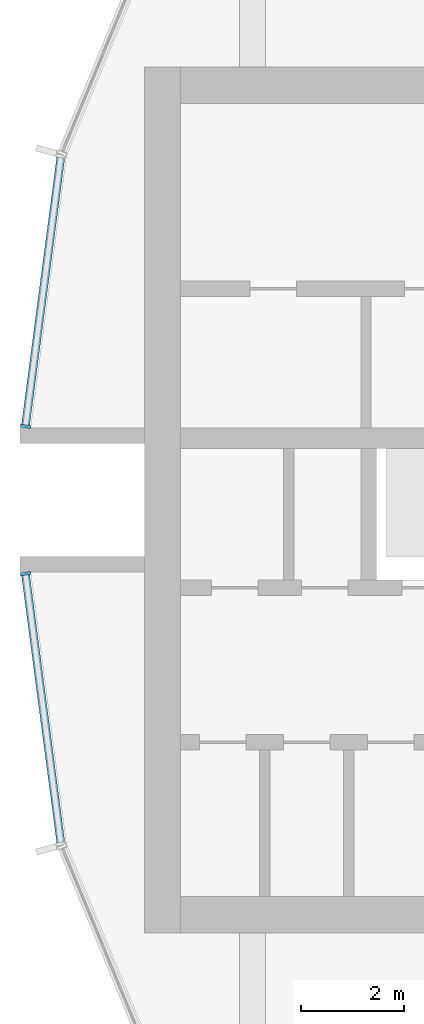
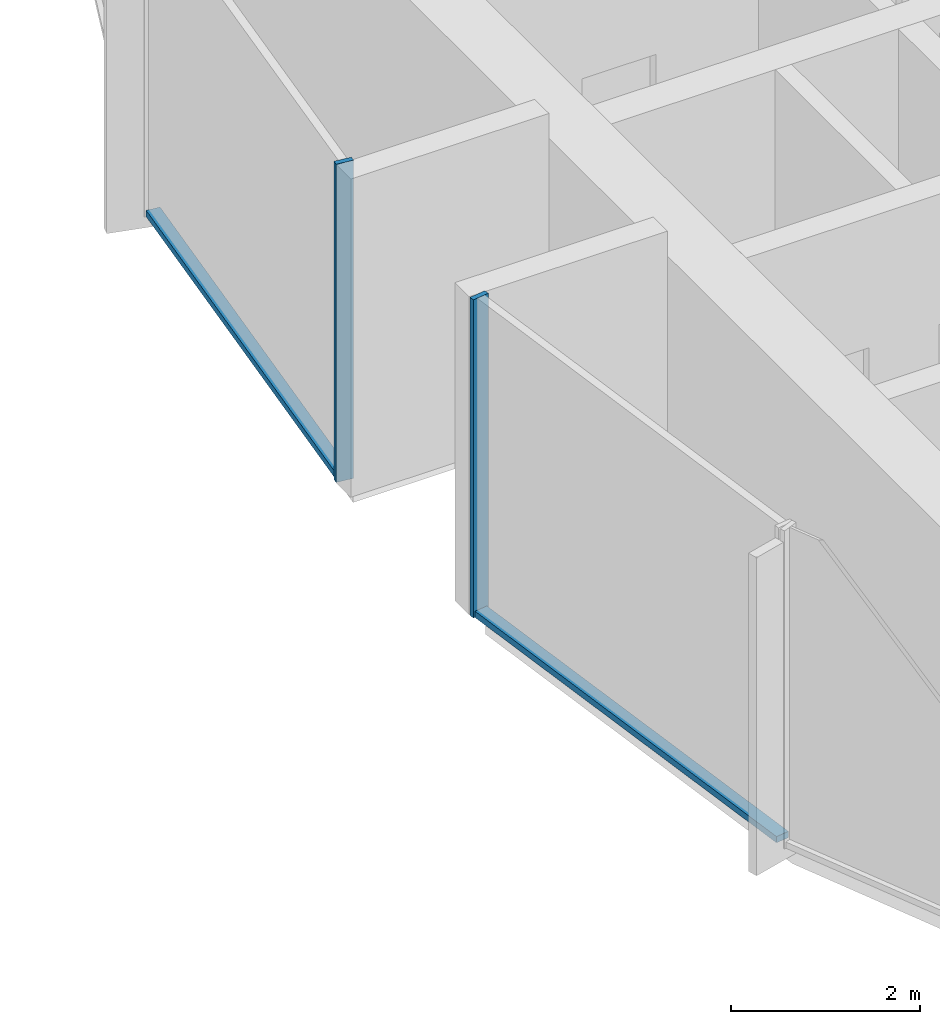
# One storey, part 3 of 15: 4 members, 2 elements without a shape of their own.
"""IFC4 building model written with IfcOpenShell, lengths in metres."""

from ifc_helpers import new_model, si_unit, direction, frame, origin, origin_2d, place, context, subcontext, project, spatial, rectangle, extrude, material, layer, layer_set, material_profile, profile_set, type_object, element, aggregate, save


model = new_model("IFC4")

# Units and contexts
model_context = context("Model", 3, precision=1e-05, world=origin(), true_north=direction((0.0, 1.0)))
body_context = subcontext(model_context, "Body", "Model", "MODEL_VIEW")
ifc_project = project(units=[si_unit("LENGTHUNIT", "METRE"), si_unit("AREAUNIT", "SQUARE_METRE"), si_unit("VOLUMEUNIT", "CUBIC_METRE"), si_unit("PLANEANGLEUNIT", "RADIAN"), si_unit("MASSUNIT", "GRAM", prefix="KILO")], contexts=[model_context])

# Site, building, storey
site_placement = place(None, origin())
site = spatial("IfcSite", under=ifc_project, at=site_placement, CompositionType="ELEMENT")
building_placement = place(site_placement, origin())
building = spatial("IfcBuilding", under=site, at=building_placement, Name="Torre Brocal", CompositionType="ELEMENT")
storey_placement = place(building_placement, frame((0.0, 0.0, 170.0)))
storey = spatial("IfcBuildingStorey", under=building, at=storey_placement, Name="L39", CompositionType="ELEMENT", Elevation=170.0)

# Curtain wall, member
ifc_material_1 = material(Name="Aluminium and glass", Category="aluminium")
ifc_layer = layer(ifc_material_1, 0.199951171875)
ifc_layer_set = layer_set([ifc_layer], Name="Aluminium and glass")
curtain_wall_type = type_object("IfcCurtainWallType", Name="CW-1B CURTAIN WALL 4100 HIGH", PredefinedType="NOTDEFINED", material=ifc_layer_set)
curtain_wall_1_placement = place(storey_placement, origin())
curtain_wall_1 = element("IfcCurtainWall", 1, at=curtain_wall_1_placement, inside=storey, type_object=curtain_wall_type, Name="CW-1B RUN 12", PredefinedType="NOTDEFINED")
ifc_material_2 = material(Name="Aluminium, dark anodised", Category="aluminium")
ifc_material_profile_1 = material_profile(ifc_material_2, rectangle(XDim=0.199951171875, YDim=0.06005859375, at=origin_2d()), Name="CW-1B MULLION 60X200")
ifc_profile_set_1 = profile_set([ifc_material_profile_1], Name="Aluminium, dark anodised")
member_type_1 = type_object("IfcMemberType", Name="CW-1B MULLION 60X200", PredefinedType="MULLION", material=ifc_profile_set_1)
member_1_placement = place(storey_placement, frame((54.2890625, 76.4296875, 0.0), z_axis=(0.0, 0.0, 1.0), x_axis=(0.991444861374, -0.13052619222, 0.0)))
member_1 = element("IfcMember", 2, at=member_1_placement, type_object=member_type_1, Name="CW1B-4 mullion 2", PredefinedType="MULLION", context=body_context, shape_type="SweptSolid", body=[
    extrude(rectangle(XDim=0.199951171875, YDim=0.06005859375, at=origin_2d()), origin(), (0.0, 0.0, 1.0), 4.10009765625),
])

curtain_wall_2_placement = place(storey_placement, origin())
curtain_wall_2 = element("IfcCurtainWall", 3, at=curtain_wall_2_placement, inside=storey, type_object=curtain_wall_type, Name="CW-1B RUN 13", PredefinedType="NOTDEFINED")
member_2_placement = place(storey_placement, frame((54.2890625, 73.5703125, 0.0), z_axis=(0.0, 0.0, 1.0), x_axis=(0.991444861374, 0.13052619222, 0.0)))
member_2 = element("IfcMember", 4, at=member_2_placement, type_object=member_type_1, Name="CW1B-4 mullion 1", PredefinedType="MULLION", context=body_context, shape_type="SweptSolid", body=[
    extrude(rectangle(XDim=0.199951171875, YDim=0.06005859375, at=origin_2d()), origin(), (0.0, 0.0, 1.0), 4.10009765625),
])

# Member
ifc_material_3 = material(Name="Aluminium, dark anodised", Category="aluminium")
ifc_material_profile_2 = material_profile(ifc_material_3, rectangle(XDim=0.159912109375, YDim=0.080078125, at=origin_2d()), Name="CW-1B TRANSOM 160X80")
ifc_profile_set_2 = profile_set([ifc_material_profile_2], Name="Aluminium, dark anodised")
member_type_2 = type_object("IfcMemberType", Name="CW-1B TRANSOM 160X80", PredefinedType="USERDEFINED", material=ifc_profile_set_2)
member_3_placement = place(storey_placement, frame((54.9755859375, 81.643798828125, 0.0400390625), z_axis=(-0.130542677827, -0.991442690863, 0.0), x_axis=(0.991442690863, -0.130542677827, 0.0)))
member_3 = element("IfcMember", 5, at=member_3_placement, type_object=member_type_2, Name="CW1B-4 transom 1.1", ObjectType="TRANSOM", PredefinedType="USERDEFINED", context=body_context, shape_type="SweptSolid", body=[
    extrude(rectangle(XDim=0.159912109375, YDim=0.080078125, at=origin_2d()), origin(), (0.0, 0.0, 1.0), 5.22900390625),
])

aggregate(curtain_wall_1, [member_1, member_3])

member_4_placement = place(storey_placement, frame((54.29296875, 73.54052734375, 0.0400390625), z_axis=(0.130542677827, -0.991442690863, 0.0), x_axis=(0.991442690863, 0.130542677827, 0.0)))
member_4 = element("IfcMember", 6, at=member_4_placement, type_object=member_type_2, Name="CW1B-4 transom 1.1", ObjectType="TRANSOM", PredefinedType="USERDEFINED", context=body_context, shape_type="SweptSolid", body=[
    extrude(rectangle(XDim=0.159912109375, YDim=0.080078125, at=origin_2d()), origin(), (0.0, 0.0, 1.0), 5.22900390625),
])

aggregate(curtain_wall_2, [member_2, member_4])

save(model, "model.ifc")
